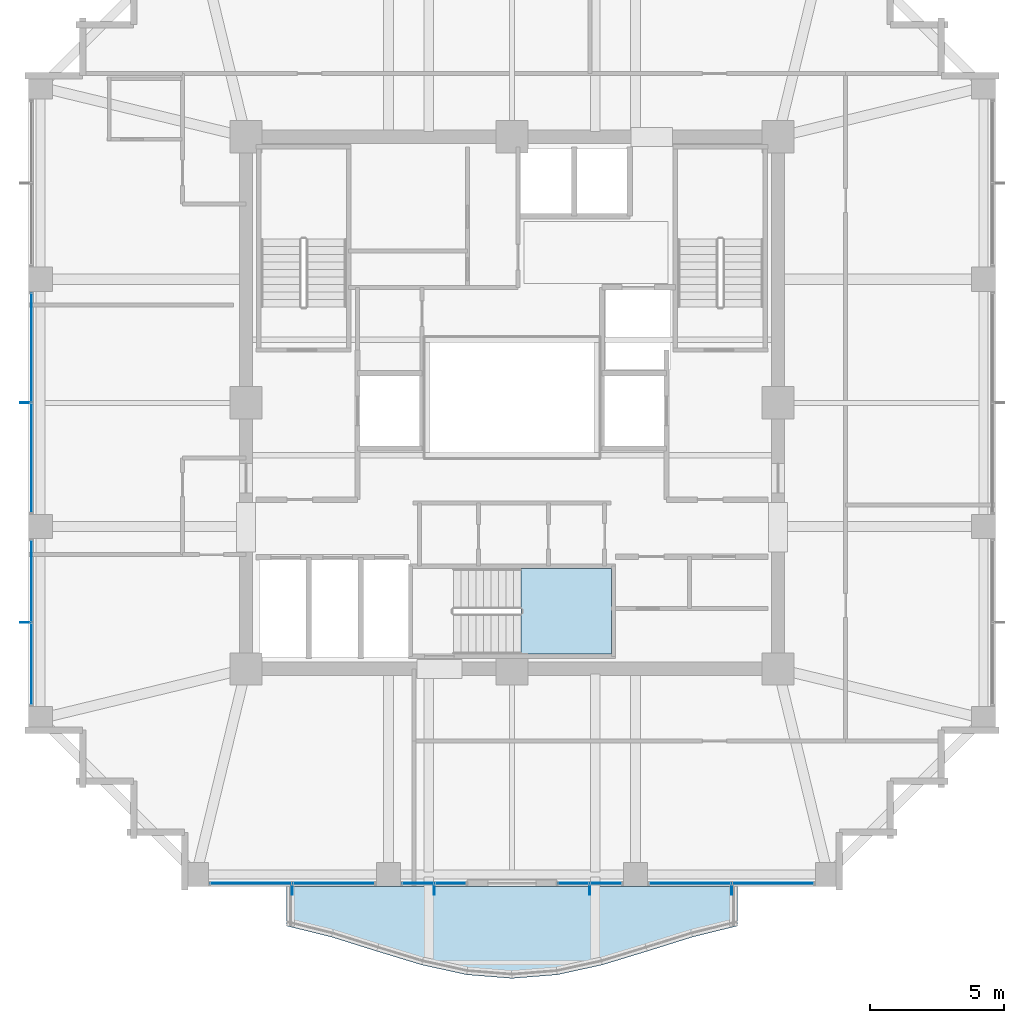
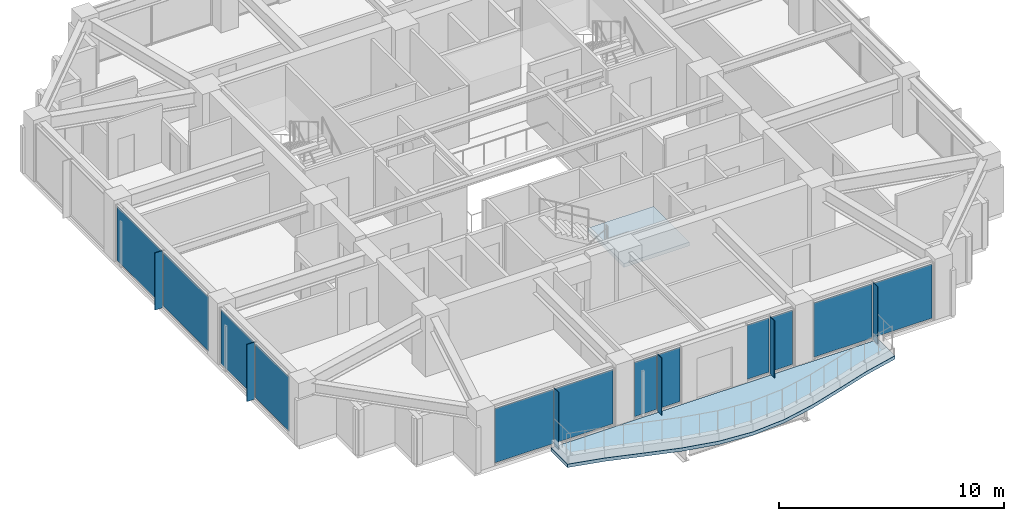
# One storey, part 22 of 31: 18 plates, 2 slabs, 7 elements without a shape of their own.
"""IFC4 building model written with IfcOpenShell, lengths in metres."""

from ifc_helpers import new_model, si_unit, direction, frame, origin, origin_2d, place, context, subcontext, project, spatial, polyline, rectangle, outline, extrude, material, layer, layer_set, type_object, element, aggregate, save


model = new_model("IFC4")

# Units and contexts
model_context = context("Model", 3, precision=1e-05, world=origin(), true_north=direction((0.0, 1.0)))
body_context = subcontext(model_context, "Body", "Model", "MODEL_VIEW")
ifc_project = project(units=[si_unit("LENGTHUNIT", "METRE"), si_unit("AREAUNIT", "SQUARE_METRE"), si_unit("VOLUMEUNIT", "CUBIC_METRE"), si_unit("PLANEANGLEUNIT", "RADIAN"), si_unit("MASSUNIT", "GRAM", prefix="KILO")], contexts=[model_context])

# Site, building, storey
site_placement = place(None, origin())
site = spatial("IfcSite", under=ifc_project, at=site_placement, CompositionType="ELEMENT")
building_placement = place(site_placement, origin())
building = spatial("IfcBuilding", under=site, at=building_placement, Name="Kolvaren Belvedere", CompositionType="ELEMENT")
storey_placement = place(building_placement, frame((0.0, 0.0, 131.60009765625)))
storey = spatial("IfcBuildingStorey", under=building, at=storey_placement, Name="L38", CompositionType="ELEMENT", Elevation=131.60009765625)

# Curtain wall, plates
ifc_material_1 = material(Name="Anodised pale-metal aluminium AA 6063-T6", Category="aluminium")
curtain_wall_type = type_object("IfcCurtainWallType", Name="CW-Z3-WAIST", PredefinedType="NOTDEFINED", material=ifc_material_1)
curtain_wall_1_placement = place(storey_placement, origin())
curtain_wall_1 = element("IfcCurtainWall", 1, at=curtain_wall_1_placement, inside=storey, type_object=curtain_wall_type, Name="L38 Unitised Curtain Wall FCW-L38-S1-B1", PredefinedType="NOTDEFINED")
ifc_material_2 = material(Name="Low-iron triple insulated glass", Category="glass")
ifc_layer_1 = layer(ifc_material_2, 0.028076171875)
ifc_layer_set_1 = layer_set([ifc_layer_1], Name="Low-iron triple insulated glass")
plate_type_1 = type_object("IfcPlateType", Name="CW-PNL-VIS28", PredefinedType="CURTAIN_PANEL", material=ifc_layer_set_1)
plate_1_placement = place(storey_placement, frame((9.711181640625, -17.8798828125, 0.079833984375), z_axis=(0.0, 0.0, 1.0), x_axis=(-1.0, 0.0, 0.0)))
plate_1 = element("IfcPlate", 2, at=plate_1_placement, type_object=plate_type_1, Name="FCW-L38-S1-B1 Vision Glazing Panel 1", PredefinedType="CURTAIN_PANEL", context=body_context, shape_type="SweptSolid", body=[
    extrude(rectangle(XDim=2.992431640625, YDim=0.028076171875, at=origin_2d()), origin(), (0.0, 0.0, 1.0), 2.93994140625),
])
plate_2_placement = place(storey_placement, frame((6.638671875, -17.8798828125, 0.079833984375), z_axis=(0.0, 0.0, 1.0), x_axis=(-1.0, 0.0, 0.0)))
plate_2 = element("IfcPlate", 3, at=plate_2_placement, type_object=plate_type_1, Name="FCW-L38-S1-B1 Vision Glazing Panel 2", PredefinedType="CURTAIN_PANEL", context=body_context, shape_type="SweptSolid", body=[
    extrude(rectangle(XDim=2.992431640625, YDim=0.028076171875, at=origin_2d()), origin(), (0.0, 0.0, 1.0), 2.93994140625),
])
aggregate(curtain_wall_1, [plate_1, plate_2])

curtain_wall_2_placement = place(storey_placement, origin())
curtain_wall_2 = element("IfcCurtainWall", 4, at=curtain_wall_2_placement, inside=storey, type_object=curtain_wall_type, Name="L38 Unitised Curtain Wall FCW-L38-S1-B2", PredefinedType="NOTDEFINED")
plate_3_placement = place(storey_placement, frame((3.4931640625, -17.8798828125, 0.079833984375), z_axis=(0.0, 0.0, 1.0), x_axis=(-1.0, 0.0, 0.0)))
plate_3 = element("IfcPlate", 5, at=plate_3_placement, type_object=plate_type_1, Name="FCW-L38-S1-B2 Vision Glazing Panel 1", PredefinedType="CURTAIN_PANEL", context=body_context, shape_type="SweptSolid", body=[
    extrude(rectangle(XDim=1.12890625, YDim=0.028076171875, at=origin_2d()), origin(), (0.0, 0.0, 1.0), 2.93994140625),
])
plate_4_placement = place(storey_placement, frame((2.284423828125, -17.8798828125, 0.079833984375), z_axis=(0.0, 0.0, 1.0), x_axis=(-1.0, 0.0, 0.0)))
plate_4 = element("IfcPlate", 6, at=plate_4_placement, type_object=plate_type_1, Name="FCW-L38-S1-B2 Vision Glazing Panel 2", PredefinedType="CURTAIN_PANEL", context=body_context, shape_type="SweptSolid", body=[
    extrude(rectangle(XDim=1.12890625, YDim=0.028076171875, at=origin_2d()), origin(), (0.0, 0.0, 1.0), 2.93994140625),
])
aggregate(curtain_wall_2, [plate_3, plate_4])

curtain_wall_3_placement = place(storey_placement, origin())
curtain_wall_3 = element("IfcCurtainWall", 7, at=curtain_wall_3_placement, inside=storey, type_object=curtain_wall_type, Name="L38 Unitised Curtain Wall FCW-L38-S2-B1", PredefinedType="NOTDEFINED")
plate_5_placement = place(storey_placement, frame((-2.284423828125, -17.8798828125, 0.079833984375), z_axis=(0.0, 0.0, 1.0), x_axis=(-1.0, 0.0, 0.0)))
plate_5 = element("IfcPlate", 8, at=plate_5_placement, type_object=plate_type_1, Name="FCW-L38-S2-B1 Vision Glazing Panel 1", PredefinedType="CURTAIN_PANEL", context=body_context, shape_type="SweptSolid", body=[
    extrude(rectangle(XDim=1.12890625, YDim=0.028076171875, at=origin_2d()), origin(), (0.0, 0.0, 1.0), 2.93994140625),
])
plate_6_placement = place(storey_placement, frame((-3.4931640625, -17.8798828125, 0.079833984375), z_axis=(0.0, 0.0, 1.0), x_axis=(-1.0, 0.0, 0.0)))
plate_6 = element("IfcPlate", 9, at=plate_6_placement, type_object=plate_type_1, Name="FCW-L38-S2-B1 Vision Glazing Panel 2", PredefinedType="CURTAIN_PANEL", context=body_context, shape_type="SweptSolid", body=[
    extrude(rectangle(XDim=1.12890625, YDim=0.028076171875, at=origin_2d()), origin(), (0.0, 0.0, 1.0), 2.93994140625),
])
aggregate(curtain_wall_3, [plate_5, plate_6])

curtain_wall_4_placement = place(storey_placement, origin())
curtain_wall_4 = element("IfcCurtainWall", 10, at=curtain_wall_4_placement, inside=storey, type_object=curtain_wall_type, Name="L38 Unitised Curtain Wall FCW-L38-S2-B2", PredefinedType="NOTDEFINED")
plate_7_placement = place(storey_placement, frame((-6.638671875, -17.8798828125, 0.079833984375), z_axis=(0.0, 0.0, 1.0), x_axis=(-1.0, 0.0, 0.0)))
plate_7 = element("IfcPlate", 11, at=plate_7_placement, type_object=plate_type_1, Name="FCW-L38-S2-B2 Vision Glazing Panel 1", PredefinedType="CURTAIN_PANEL", context=body_context, shape_type="SweptSolid", body=[
    extrude(rectangle(XDim=2.992431640625, YDim=0.028076171875, at=origin_2d()), origin(), (0.0, 0.0, 1.0), 2.93994140625),
])
plate_8_placement = place(storey_placement, frame((-9.711181640625, -17.8798828125, 0.079833984375), z_axis=(0.0, 0.0, 1.0), x_axis=(-1.0, 0.0, 0.0)))
plate_8 = element("IfcPlate", 12, at=plate_8_placement, type_object=plate_type_1, Name="FCW-L38-S2-B2 Vision Glazing Panel 2", PredefinedType="CURTAIN_PANEL", context=body_context, shape_type="SweptSolid", body=[
    extrude(rectangle(XDim=2.992431640625, YDim=0.028076171875, at=origin_2d()), origin(), (0.0, 0.0, 1.0), 2.93994140625),
])
aggregate(curtain_wall_4, [plate_7, plate_8])

curtain_wall_5_placement = place(storey_placement, origin())
curtain_wall_5 = element("IfcCurtainWall", 13, at=curtain_wall_5_placement, inside=storey, type_object=curtain_wall_type, Name="L38 Unitised Curtain Wall FCW-L38-W-B1", PredefinedType="NOTDEFINED")
plate_9_placement = place(storey_placement, frame((-17.8798828125, -9.711181640625, 0.079833984375), z_axis=(0.0, 0.0, 1.0), x_axis=(0.0, 1.0, 0.0)))
plate_9 = element("IfcPlate", 14, at=plate_9_placement, type_object=plate_type_1, Name="FCW-L38-W-B1 Vision Glazing Panel 1", PredefinedType="CURTAIN_PANEL", context=body_context, shape_type="SweptSolid", body=[
    extrude(rectangle(XDim=2.992431640625, YDim=0.028076171875, at=origin_2d()), origin(), (0.0, 0.0, 1.0), 2.93994140625),
])
plate_10_placement = place(storey_placement, frame((-17.8798828125, -6.638671875, 0.079833984375), z_axis=(0.0, 0.0, 1.0), x_axis=(0.0, 1.0, 0.0)))
plate_10 = element("IfcPlate", 15, at=plate_10_placement, type_object=plate_type_1, Name="FCW-L38-W-B1 Vision Glazing Panel 2", PredefinedType="CURTAIN_PANEL", context=body_context, shape_type="SweptSolid", body=[
    extrude(rectangle(XDim=2.992431640625, YDim=0.028076171875, at=origin_2d()), origin(), (0.0, 0.0, 1.0), 2.93994140625),
])
aggregate(curtain_wall_5, [plate_9, plate_10])

curtain_wall_6_placement = place(storey_placement, origin())
curtain_wall_6 = element("IfcCurtainWall", 16, at=curtain_wall_6_placement, inside=storey, type_object=curtain_wall_type, Name="L38 Unitised Curtain Wall FCW-L38-W-B2", PredefinedType="NOTDEFINED")
plate_11_placement = place(storey_placement, frame((-17.8798828125, -2.048828125, 0.079833984375), z_axis=(0.0, 0.0, 1.0), x_axis=(0.0, 1.0, 0.0)))
plate_11 = element("IfcPlate", 17, at=plate_11_placement, type_object=plate_type_1, Name="FCW-L38-W-B2 Vision Glazing Panel 1", PredefinedType="CURTAIN_PANEL", context=body_context, shape_type="SweptSolid", body=[
    extrude(rectangle(XDim=4.017578125, YDim=0.028076171875, at=origin_2d()), origin(), (0.0, 0.0, 1.0), 2.93994140625),
])
plate_12_placement = place(storey_placement, frame((-17.8798828125, 2.048828125, 0.079833984375), z_axis=(0.0, 0.0, 1.0), x_axis=(0.0, 1.0, 0.0)))
plate_12 = element("IfcPlate", 18, at=plate_12_placement, type_object=plate_type_1, Name="FCW-L38-W-B2 Vision Glazing Panel 2", PredefinedType="CURTAIN_PANEL", context=body_context, shape_type="SweptSolid", body=[
    extrude(rectangle(XDim=4.017578125, YDim=0.028076171875, at=origin_2d()), origin(), (0.0, 0.0, 1.0), 2.93994140625),
])
aggregate(curtain_wall_6, [plate_11, plate_12])

# Plates
ifc_material_3 = material(Name="Anodised pale-metal aluminium AA 6063-T6", Category="aluminium")
ifc_layer_2 = layer(ifc_material_3, 0.033935546875)
ifc_layer_set_2 = layer_set([ifc_layer_2], Name="Anodised pale-metal aluminium AA 6063-T6")
plate_type_2 = type_object("IfcPlateType", Name="FIN-VERT-380", PredefinedType="USERDEFINED", material=ifc_layer_set_2)
for number, where, z_axis, x_axis, name in (
    (19, (8.175048828125, -18.1201171875, -0.000244140625), (0.0, 0.0, 1.0), (0.0, 1.0, 0.0), "L38 Pale-Metal Vertical Shading Fin FCW-L38-S1-B1-1"),
    (20, (2.888671875, -18.1201171875, -0.000244140625), (0.0, 0.0, 1.0), (0.0, 1.0, 0.0), "L38 Pale-Metal Vertical Shading Fin FCW-L38-S1-B2-1"),
    (21, (-2.888671875, -18.1201171875, -0.000244140625), (0.0, 0.0, 1.0), (0.0, 1.0, 0.0), "L38 Pale-Metal Vertical Shading Fin FCW-L38-S2-B1-1"),
    (22, (-8.175048828125, -18.1201171875, -0.000244140625), (0.0, 0.0, 1.0), (0.0, 1.0, 0.0), "L38 Pale-Metal Vertical Shading Fin FCW-L38-S2-B2-1"),
    (23, (-18.1201171875, -8.175048828125, -0.000244140625), (0.0, 0.0, 1.0), (1.0, 0.0, 0.0), "L38 Pale-Metal Vertical Shading Fin FCW-L38-W-B1-1"),
    (24, (-18.1201171875, 0.0, -0.000244140625), (0.0, 0.0, 1.0), (1.0, 0.0, 0.0), "L38 Pale-Metal Vertical Shading Fin FCW-L38-W-B2-1"),
):
    element("IfcPlate", number, at=place(storey_placement, frame(where, z_axis=z_axis, x_axis=x_axis)), inside=storey, type_object=plate_type_2, Name=name, ObjectType="VERTICAL FIN", PredefinedType="USERDEFINED", context=body_context, shape_type="SweptSolid", body=[
        extrude(rectangle(XDim=0.3798828125, YDim=0.033935546875, at=origin_2d()), origin(), (0.0, 0.0, 1.0), 3.10009765625),
    ])

# Slab
ifc_material_4 = material(Name="Concrete C50/60", Category="concrete")
ifc_layer_3 = layer(ifc_material_4, 0.179931640625)
ifc_layer_set_3 = layer_set([ifc_layer_3], Name="Concrete C50/60")
slab_type_1 = type_object("IfcSlabType", Name="SL-BAL-180", PredefinedType="FLOOR", material=ifc_layer_set_3)
slab_1_placement = place(storey_placement, frame((0.0, 0.0, -0.2001953125)))
element("IfcSlab", 25, at=slab_1_placement, inside=storey, type_object=slab_type_1, Name="L38 Planted Balcony BAL-S", PredefinedType="FLOOR", context=body_context, shape_type="SweptSolid", body=[
    extrude(outline(polyline([(-8.39990234375, -19.46630859375), (-6.719970703125, -19.880126953125), (-5.0400390625, -20.40771484375), (-3.360107421875, -20.918701171875), (-1.679931640625, -21.286376953125), (0.0, -21.419921875), (1.679931640625, -21.286376953125), (3.360107421875, -20.918701171875), (5.0400390625, -20.40771484375), (6.719970703125, -19.880126953125), (8.39990234375, -19.46630859375), (8.39990234375, -18.0), (6.719970703125, -18.0), (5.0400390625, -18.0), (3.360107421875, -18.0), (1.679931640625, -18.0), (0.0, -18.0), (-1.679931640625, -18.0), (-3.360107421875, -18.0), (-5.0400390625, -18.0), (-6.719970703125, -18.0), (-8.39990234375, -18.0), (-8.39990234375, -19.46630859375)])), origin(), (0.0, 0.0, 1.0), 0.18017578125),
])

# Stair, slab
ifc_material_5 = material(Name="Concrete C50/60", Category="concrete")
stair_type = type_object("IfcStairType", Name="ST-CORE-1520", PredefinedType="HALF_TURN_STAIR", material=ifc_material_5)
stair_placement = place(storey_placement, origin())
stair = element("IfcStair", 26, at=stair_placement, inside=storey, type_object=stair_type, Name="L38 Protected Exit Stair ST-3", PredefinedType="HALF_TURN_STAIR")
ifc_material_6 = material(Name="Concrete C50/60", Category="concrete")
ifc_layer_4 = layer(ifc_material_6, 0.260009765625)
ifc_layer_set_4 = layer_set([ifc_layer_4], Name="Concrete C50/60")
slab_type_2 = type_object("IfcSlabType", Name="SL-LAND-260", PredefinedType="LANDING", material=ifc_layer_set_4)
slab_2_placement = place(storey_placement, frame((0.0, 0.0, 1.449951171875)))
slab_2 = element("IfcSlab", 27, at=slab_2_placement, type_object=slab_type_2, Name="ST-3 landing 1", PredefinedType="LANDING", context=body_context, shape_type="SweptSolid", body=[
    extrude(outline(polyline([(0.340087890625, -9.35009765625), (3.699951171875, -9.35009765625), (3.699951171875, -6.159912109375), (0.340087890625, -6.159912109375), (0.340087890625, -9.35009765625)])), origin(), (0.0, 0.0, 1.0), 0.199951171875),
])
aggregate(stair, [slab_2])

save(model, "model.ifc")
